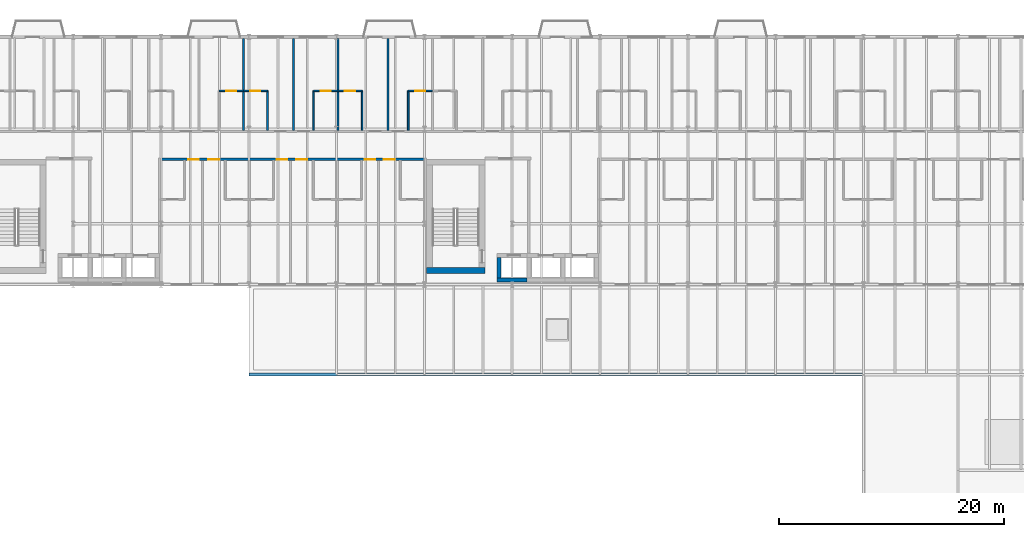
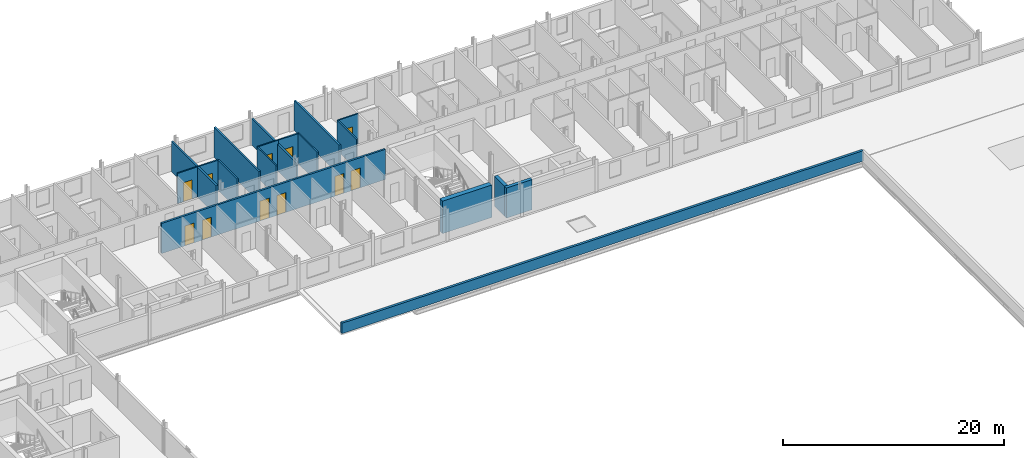
# One storey, part 24 of 36: 18 walls, 11 doors, 11 openings.
"""IFC4 building model written with IfcOpenShell, lengths in metres."""

from ifc_helpers import new_model, si_unit, direction, frame, frame_2d, origin, place, context, subcontext, project, spatial, rectangle, extrude, material, layer, layer_set, type_object, element, fill, save


model = new_model("IFC4")

# Units and contexts
model_context = context("Model", 3, precision=1e-05, world=origin(), true_north=direction((0.0, 1.0)))
body_context = subcontext(model_context, "Body", "Model", "MODEL_VIEW")
ifc_project = project(units=[si_unit("LENGTHUNIT", "METRE"), si_unit("AREAUNIT", "SQUARE_METRE"), si_unit("VOLUMEUNIT", "CUBIC_METRE"), si_unit("PLANEANGLEUNIT", "RADIAN"), si_unit("MASSUNIT", "GRAM", prefix="KILO")], contexts=[model_context])

# Site, building, storey
site_placement = place(None, origin())
site = spatial("IfcSite", under=ifc_project, at=site_placement, CompositionType="ELEMENT")
building_placement = place(site_placement, origin())
building = spatial("IfcBuilding", under=site, at=building_placement, Name="Sefraquen Railside Congress Hotel", CompositionType="ELEMENT")
storey_placement = place(building_placement, frame((0.0, 0.0, 24.60009765625)))
storey = spatial("IfcBuildingStorey", under=building, at=storey_placement, Name="L05", CompositionType="ELEMENT", Elevation=24.60009765625)

# Walls
ifc_material_1 = material(Name="Concrete C50/60", Category="concrete")
ifc_layer_1 = layer(ifc_material_1, 0.35009765625)
ifc_layer_set_1 = layer_set([ifc_layer_1], Name="Concrete C50/60")
wall_type_1 = type_object("IfcWallType", Name="TW-CW-350", PredefinedType="SHEAR", material=ifc_layer_set_1)
wall_1_placement = place(storey_placement, frame((70.639892578125, 96.405029296875, 0.0), z_axis=(0.0, 0.0, 1.0), x_axis=(1.0, 0.0, 0.0)))
element("IfcWall", 1, at=wall_1_placement, inside=storey, type_object=wall_type_1, Name="Lift FL-03 shaft wall S L05", PredefinedType="SHEAR", context=body_context, shape_type="SweptSolid", body=[
    extrude(rectangle(XDim=2.690185546875, YDim=0.35009765625, at=frame_2d((1.34521484375, 0.0))), origin(), (0.0, 0.0, 1.0), 3.33984375),
])
wall_2_placement = place(storey_placement, frame((70.81494140625, 96.580078125, 0.0), z_axis=(0.0, 0.0, 1.0), x_axis=(0.0, 1.0, 0.0)))
element("IfcWall", 2, at=wall_2_placement, inside=storey, type_object=wall_type_1, Name="Lift FL-03 shaft wall W L05", PredefinedType="SHEAR", context=body_context, shape_type="SweptSolid", body=[
    extrude(rectangle(XDim=1.83984375, YDim=0.35009765625, at=frame_2d((0.919921875, 0.0))), origin(), (0.0, 0.0, 1.0), 3.33984375),
])
ifc_layer_2 = layer(ifc_material_1, 0.5)
ifc_layer_set_2 = layer_set([ifc_layer_2], Name="Concrete C50/60")
wall_type_2 = type_object("IfcWallType", Name="TW-CW-500", PredefinedType="SHEAR", material=ifc_layer_set_2)
wall_3_placement = place(storey_placement, frame((64.39990234375, 97.25, 0.0), z_axis=(0.0, 0.0, 1.0), x_axis=(1.0, 0.0, 0.0)))
element("IfcWall", 3, at=wall_3_placement, inside=storey, type_object=wall_type_2, Name="Core shear wall ST-H03 S L05", PredefinedType="SHEAR", context=body_context, shape_type="SweptSolid", body=[
    extrude(rectangle(XDim=5.16015625, YDim=0.5, at=frame_2d((2.580078125, 0.0))), origin(), (0.0, 0.0, 1.0), 3.599853515625),
])
ifc_material_2 = material(Name="Precast concrete C40/50", Category="concrete")
ifc_layer_3 = layer(ifc_material_2, 0.25)
ifc_layer_set_3 = layer_set([ifc_layer_3], Name="Precast concrete C40/50")
wall_type_3 = type_object("IfcWallType", Name="TW-PA-250", PredefinedType="PARAPET", material=ifc_layer_set_3)
wall_4_placement = place(storey_placement, frame((48.60009765625, 88.0, 0.0), z_axis=(0.0, 0.0, 1.0), x_axis=(1.0, 0.0, 0.0)))
element("IfcWall", 4, at=wall_4_placement, inside=storey, type_object=wall_type_3, Name="Meeting Wing L05 roof parapet 01", PredefinedType="PARAPET", context=body_context, shape_type="SweptSolid", body=[
    extrude(rectangle(XDim=54.599853515625, YDim=0.25, at=frame_2d((27.2998046875, 0.0))), origin(), (0.0, 0.0, 1.0), 1.14990234375),
])

# Wall, opening, door
ifc_material_3 = material(Name="Moisture-resistant gypsum board", Category="gypsum")
ifc_layer_4 = layer(ifc_material_3, 0.139892578125)
ifc_layer_set_4 = layer_set([ifc_layer_4], Name="Moisture-resistant gypsum board")
wall_type_4 = type_object("IfcWallType", Name="TW-PW-140", PredefinedType="PARTITIONING", material=ifc_layer_set_4)
wall_5_placement = place(storey_placement, frame((45.9599609375, 113.199951171875, 0.0), z_axis=(0.0, 0.0, 1.0), x_axis=(1.0, 0.0, 0.0)))
wall_5 = element("IfcWall", 5, at=wall_5_placement, inside=storey, type_object=wall_type_4, Name="En-suite bathroom north wall RM-006", PredefinedType="PARTITIONING", context=body_context, shape_type="SweptSolid", body=[
    extrude(rectangle(XDim=2.150146484375, YDim=0.139892578125, at=frame_2d((1.0751953125, 0.0))), origin(), (0.0, 0.0, 1.0), 3.33984375),
])
opening_1_placement = place(wall_5_placement, frame((0.625, 0.0, 0.0)))
opening_1 = element("IfcOpeningElement", 6, at=opening_1_placement, cuts=wall_5, Name="Opening ID-02", PredefinedType="OPENING", context=body_context, shape_type="SweptSolid", body=[
    extrude(rectangle(XDim=0.89990234375, YDim=2.10009765625, at=frame_2d((0.449951171875, 1.050048828125))), frame((0.0, 0.079833984375, 0.0), z_axis=(0.0, -1.0, 0.0), x_axis=(1.0, 0.0, 0.0)), (0.0, 0.0, 1.0), 0.159912109375),
])
ifc_material_4 = material(Name="Lacquered cedar joinery", Category="wood")
door_type_1 = type_object("IfcDoorType", Name="TD-ID-02", OperationType="NOTDEFINED", PredefinedType="DOOR", material=ifc_material_4)
door_1_placement = place(opening_1_placement, origin())
door_1 = element("IfcDoor", 7, at=door_1_placement, inside=storey, type_object=door_type_1, Name="En-suite bathroom door RM-006", OperationType="SINGLE_SWING_LEFT", OverallHeight=2.10009765625, OverallWidth=0.89990234375, PredefinedType="DOOR", context=body_context, shape_type="SweptSolid", body=[
    extrude(rectangle(XDim=0.89990234375, YDim=2.10009765625, at=frame_2d((0.449951171875, 1.050048828125))), frame((0.0, 0.02490234375, 0.0), z_axis=(0.0, -1.0, 0.0), x_axis=(1.0, 0.0, 0.0)), (0.0, 0.0, 1.0), 0.050048828125),
])
fill(opening_1, door_1)

# Wall
wall_6_placement = place(storey_placement, frame((50.260009765625, 109.699951171875, 0.0), z_axis=(0.0, 0.0, 1.0), x_axis=(0.0, 1.0, 0.0)))
element("IfcWall", 8, at=wall_6_placement, inside=storey, type_object=wall_type_4, Name="En-suite bathroom east wall RM-007", PredefinedType="PARTITIONING", context=body_context, shape_type="SweptSolid", body=[
    extrude(rectangle(XDim=3.5, YDim=0.139892578125, at=frame_2d((1.75, 0.0))), origin(), (0.0, 0.0, 1.0), 3.33984375),
])

# Wall, opening, door
wall_7_placement = place(storey_placement, frame((48.110107421875, 113.199951171875, 0.0), z_axis=(0.0, 0.0, 1.0), x_axis=(1.0, 0.0, 0.0)))
wall_7 = element("IfcWall", 9, at=wall_7_placement, inside=storey, type_object=wall_type_4, Name="En-suite bathroom north wall RM-007", PredefinedType="PARTITIONING", context=body_context, shape_type="SweptSolid", body=[
    extrude(rectangle(XDim=2.14990234375, YDim=0.139892578125, at=frame_2d((1.074951171875, 0.0))), origin(), (0.0, 0.0, 1.0), 3.33984375),
])
opening_2_placement = place(wall_7_placement, frame((0.625, 0.0, 0.0)))
opening_2 = element("IfcOpeningElement", 10, at=opening_2_placement, cuts=wall_7, Name="Opening ID-02", PredefinedType="OPENING", context=body_context, shape_type="SweptSolid", body=[
    extrude(rectangle(XDim=0.89990234375, YDim=2.10009765625, at=frame_2d((0.449951171875, 1.050048828125))), frame((0.0, 0.079833984375, 0.0), z_axis=(0.0, -1.0, 0.0), x_axis=(1.0, 0.0, 0.0)), (0.0, 0.0, 1.0), 0.159912109375),
])
door_2_placement = place(opening_2_placement, origin())
door_2 = element("IfcDoor", 11, at=door_2_placement, inside=storey, type_object=door_type_1, Name="En-suite bathroom door RM-007", OperationType="SINGLE_SWING_LEFT", OverallHeight=2.10009765625, OverallWidth=0.89990234375, PredefinedType="DOOR", context=body_context, shape_type="SweptSolid", body=[
    extrude(rectangle(XDim=0.89990234375, YDim=2.10009765625, at=frame_2d((0.449951171875, 1.050048828125))), frame((0.0, 0.02490234375, 0.0), z_axis=(0.0, -1.0, 0.0), x_axis=(1.0, 0.0, 0.0)), (0.0, 0.0, 1.0), 0.050048828125),
])
fill(opening_2, door_2)

# Wall
wall_8_placement = place(storey_placement, frame((54.360107421875, 109.699951171875, 0.0), z_axis=(0.0, 0.0, 1.0), x_axis=(0.0, 1.0, 0.0)))
element("IfcWall", 12, at=wall_8_placement, inside=storey, type_object=wall_type_4, Name="En-suite bathroom west wall RM-008", PredefinedType="PARTITIONING", context=body_context, shape_type="SweptSolid", body=[
    extrude(rectangle(XDim=3.5, YDim=0.139892578125, at=frame_2d((1.75, 0.0))), origin(), (0.0, 0.0, 1.0), 3.33984375),
])

# Wall, opening, door
wall_9_placement = place(storey_placement, frame((54.360107421875, 113.199951171875, 0.0), z_axis=(0.0, 0.0, 1.0), x_axis=(1.0, 0.0, 0.0)))
wall_9 = element("IfcWall", 13, at=wall_9_placement, inside=storey, type_object=wall_type_4, Name="En-suite bathroom north wall RM-008", PredefinedType="PARTITIONING", context=body_context, shape_type="SweptSolid", body=[
    extrude(rectangle(XDim=2.14990234375, YDim=0.139892578125, at=frame_2d((1.074951171875, 0.0))), origin(), (0.0, 0.0, 1.0), 3.33984375),
])
opening_3_placement = place(wall_9_placement, frame((0.625, 0.0, 0.0)))
opening_3 = element("IfcOpeningElement", 14, at=opening_3_placement, cuts=wall_9, Name="Opening ID-02", PredefinedType="OPENING", context=body_context, shape_type="SweptSolid", body=[
    extrude(rectangle(XDim=0.89990234375, YDim=2.10009765625, at=frame_2d((0.449951171875, 1.050048828125))), frame((0.0, 0.079833984375, 0.0), z_axis=(0.0, -1.0, 0.0), x_axis=(1.0, 0.0, 0.0)), (0.0, 0.0, 1.0), 0.159912109375),
])
door_3_placement = place(opening_3_placement, origin())
door_3 = element("IfcDoor", 15, at=door_3_placement, inside=storey, type_object=door_type_1, Name="En-suite bathroom door RM-008", OperationType="SINGLE_SWING_LEFT", OverallHeight=2.10009765625, OverallWidth=0.89990234375, PredefinedType="DOOR", context=body_context, shape_type="SweptSolid", body=[
    extrude(rectangle(XDim=0.89990234375, YDim=2.10009765625, at=frame_2d((0.449951171875, 1.050048828125))), frame((0.0, 0.02490234375, 0.0), z_axis=(0.0, -1.0, 0.0), x_axis=(1.0, 0.0, 0.0)), (0.0, 0.0, 1.0), 0.050048828125),
])
fill(opening_3, door_3)

# Wall
wall_10_placement = place(storey_placement, frame((58.659912109375, 109.699951171875, 0.0), z_axis=(0.0, 0.0, 1.0), x_axis=(0.0, 1.0, 0.0)))
element("IfcWall", 16, at=wall_10_placement, inside=storey, type_object=wall_type_4, Name="En-suite bathroom east wall RM-009", PredefinedType="PARTITIONING", context=body_context, shape_type="SweptSolid", body=[
    extrude(rectangle(XDim=3.5, YDim=0.139892578125, at=frame_2d((1.75, 0.0))), origin(), (0.0, 0.0, 1.0), 3.33984375),
])

# Wall, opening, door
wall_11_placement = place(storey_placement, frame((56.510009765625, 113.199951171875, 0.0), z_axis=(0.0, 0.0, 1.0), x_axis=(1.0, 0.0, 0.0)))
wall_11 = element("IfcWall", 17, at=wall_11_placement, inside=storey, type_object=wall_type_4, Name="En-suite bathroom north wall RM-009", PredefinedType="PARTITIONING", context=body_context, shape_type="SweptSolid", body=[
    extrude(rectangle(XDim=2.14990234375, YDim=0.139892578125, at=frame_2d((1.074951171875, 0.0))), origin(), (0.0, 0.0, 1.0), 3.33984375),
])
opening_4_placement = place(wall_11_placement, frame((0.625, 0.0, 0.0)))
opening_4 = element("IfcOpeningElement", 18, at=opening_4_placement, cuts=wall_11, Name="Opening ID-02", PredefinedType="OPENING", context=body_context, shape_type="SweptSolid", body=[
    extrude(rectangle(XDim=0.89990234375, YDim=2.10009765625, at=frame_2d((0.449951171875, 1.050048828125))), frame((0.0, 0.079833984375, 0.0), z_axis=(0.0, -1.0, 0.0), x_axis=(1.0, 0.0, 0.0)), (0.0, 0.0, 1.0), 0.159912109375),
])
door_4_placement = place(opening_4_placement, origin())
door_4 = element("IfcDoor", 19, at=door_4_placement, inside=storey, type_object=door_type_1, Name="En-suite bathroom door RM-009", OperationType="SINGLE_SWING_LEFT", OverallHeight=2.10009765625, OverallWidth=0.89990234375, PredefinedType="DOOR", context=body_context, shape_type="SweptSolid", body=[
    extrude(rectangle(XDim=0.89990234375, YDim=2.10009765625, at=frame_2d((0.449951171875, 1.050048828125))), frame((0.0, 0.02490234375, 0.0), z_axis=(0.0, -1.0, 0.0), x_axis=(1.0, 0.0, 0.0)), (0.0, 0.0, 1.0), 0.050048828125),
])
fill(opening_4, door_4)

# Wall
wall_12_placement = place(storey_placement, frame((62.760009765625, 109.699951171875, 0.0), z_axis=(0.0, 0.0, 1.0), x_axis=(0.0, 1.0, 0.0)))
element("IfcWall", 20, at=wall_12_placement, inside=storey, type_object=wall_type_4, Name="En-suite bathroom west wall RM-010", PredefinedType="PARTITIONING", context=body_context, shape_type="SweptSolid", body=[
    extrude(rectangle(XDim=3.5, YDim=0.139892578125, at=frame_2d((1.75, 0.0))), origin(), (0.0, 0.0, 1.0), 3.33984375),
])

# Wall, opening, door
wall_13_placement = place(storey_placement, frame((62.760009765625, 113.199951171875, 0.0), z_axis=(0.0, 0.0, 1.0), x_axis=(1.0, 0.0, 0.0)))
wall_13 = element("IfcWall", 21, at=wall_13_placement, inside=storey, type_object=wall_type_4, Name="En-suite bathroom north wall RM-010", PredefinedType="PARTITIONING", context=body_context, shape_type="SweptSolid", body=[
    extrude(rectangle(XDim=2.14990234375, YDim=0.139892578125, at=frame_2d((1.074951171875, 0.0))), origin(), (0.0, 0.0, 1.0), 3.33984375),
])
opening_5_placement = place(wall_13_placement, frame((0.625, 0.0, 0.0)))
opening_5 = element("IfcOpeningElement", 22, at=opening_5_placement, cuts=wall_13, Name="Opening ID-02", PredefinedType="OPENING", context=body_context, shape_type="SweptSolid", body=[
    extrude(rectangle(XDim=0.89990234375, YDim=2.10009765625, at=frame_2d((0.449951171875, 1.050048828125))), frame((0.0, 0.079833984375, 0.0), z_axis=(0.0, -1.0, 0.0), x_axis=(1.0, 0.0, 0.0)), (0.0, 0.0, 1.0), 0.159912109375),
])
door_5_placement = place(opening_5_placement, origin())
door_5 = element("IfcDoor", 23, at=door_5_placement, inside=storey, type_object=door_type_1, Name="En-suite bathroom door RM-010", OperationType="SINGLE_SWING_LEFT", OverallHeight=2.10009765625, OverallWidth=0.89990234375, PredefinedType="DOOR", context=body_context, shape_type="SweptSolid", body=[
    extrude(rectangle(XDim=0.89990234375, YDim=2.10009765625, at=frame_2d((0.449951171875, 1.050048828125))), frame((0.0, 0.02490234375, 0.0), z_axis=(0.0, -1.0, 0.0), x_axis=(1.0, 0.0, 0.0)), (0.0, 0.0, 1.0), 0.050048828125),
])
fill(opening_5, door_5)

# Walls
ifc_material_5 = material(Name="Acoustic gypsum board on metal stud", Category="gypsum")
ifc_layer_5 = layer(ifc_material_5, 0.179931640625)
ifc_layer_set_5 = layer_set([ifc_layer_5], Name="Acoustic gypsum board on metal stud")
wall_type_5 = type_object("IfcWallType", Name="TW-PW-180", PredefinedType="PARTITIONING", material=ifc_layer_set_5)
for number, where, z_axis, x_axis, name in (
    (24, (48.110107421875, 109.699951171875, 0.0), (0.0, 0.0, 1.0), (0.0, 1.0, 0.0), "Guest room demising wall RM-006"),
    (25, (52.580078125, 109.699951171875, 0.0), (0.0, 0.0, 1.0), (0.0, 1.0, 0.0), "Guest room demising wall RM-007"),
):
    element("IfcWall", number, at=place(storey_placement, frame(where, z_axis=z_axis, x_axis=x_axis)), inside=storey, type_object=wall_type_5, Name=name, PredefinedType="PARTITIONING", context=body_context, shape_type="SweptSolid", body=[
        extrude(rectangle(XDim=8.150146484375, YDim=0.179931640625, at=frame_2d((4.0751953125, 0.0))), origin(), (0.0, 0.0, 1.0), 3.33984375),
    ])
wall_14_placement = place(storey_placement, frame((56.510009765625, 109.699951171875, 0.0), z_axis=(0.0, 0.0, 1.0), x_axis=(0.0, 1.0, 0.0)))
element("IfcWall", 26, at=wall_14_placement, inside=storey, type_object=wall_type_5, Name="Guest room demising wall RM-008", PredefinedType="PARTITIONING", context=body_context, shape_type="SweptSolid", body=[
    extrude(rectangle(XDim=8.150146484375, YDim=0.179931640625, at=frame_2d((4.0751953125, 0.0))), origin(), (0.0, 0.0, 1.0), 2.929931640625),
])
wall_15_placement = place(storey_placement, frame((60.97998046875, 109.699951171875, 0.0), z_axis=(0.0, 0.0, 1.0), x_axis=(0.0, 1.0, 0.0)))
element("IfcWall", 27, at=wall_15_placement, inside=storey, type_object=wall_type_5, Name="Guest room demising wall RM-009", PredefinedType="PARTITIONING", context=body_context, shape_type="SweptSolid", body=[
    extrude(rectangle(XDim=8.150146484375, YDim=0.179931640625, at=frame_2d((4.0751953125, 0.0))), origin(), (0.0, 0.0, 1.0), 3.33984375),
])

# Wall, openings, doors
ifc_layer_6 = layer(ifc_material_5, 0.199951171875)
ifc_layer_set_6 = layer_set([ifc_layer_6], Name="Acoustic gypsum board on metal stud")
wall_type_6 = type_object("IfcWallType", Name="TW-PW-200", PredefinedType="PARTITIONING", material=ifc_layer_set_6)
wall_16_placement = place(storey_placement, frame((40.760009765625, 107.1201171875, 0.0), z_axis=(0.0, 0.0, 1.0), x_axis=(1.0, 0.0, 0.0)))
wall_16 = element("IfcWall", 28, at=wall_16_placement, inside=storey, type_object=wall_type_6, Name="Hotel L05 south-mid corridor fire-rated partition", PredefinedType="PARTITIONING", context=body_context, shape_type="SweptSolid", body=[
    extrude(rectangle(XDim=23.43994140625, YDim=0.199951171875, at=frame_2d((11.719970703125, 0.0))), origin(), (0.0, 0.0, 1.0), 3.33984375),
])
opening_6_placement = place(wall_16_placement, frame((2.448974609375, 0.0, 0.0)))
opening_6 = element("IfcOpeningElement", 29, at=opening_6_placement, cuts=wall_16, Name="Opening GD-02", PredefinedType="OPENING", context=body_context, shape_type="SweptSolid", body=[
    extrude(rectangle(XDim=0.9599609375, YDim=2.199951171875, at=frame_2d((0.47998046875, 1.10009765625))), frame((0.0, 0.10986328125, 0.0), z_axis=(0.0, -1.0, 0.0), x_axis=(1.0, 0.0, 0.0)), (0.0, 0.0, 1.0), 0.219970703125),
])
opening_7_placement = place(wall_16_placement, frame((4.2529296875, 0.0, 0.0)))
opening_7 = element("IfcOpeningElement", 30, at=opening_7_placement, cuts=wall_16, Name="Opening GD-02", PredefinedType="OPENING", context=body_context, shape_type="SweptSolid", body=[
    extrude(rectangle(XDim=0.9599609375, YDim=2.199951171875, at=frame_2d((0.47998046875, 1.10009765625))), frame((0.0, 0.10986328125, 0.0), z_axis=(0.0, -1.0, 0.0), x_axis=(1.0, 0.0, 0.0)), (0.0, 0.0, 1.0), 0.219970703125),
])
opening_8_placement = place(wall_16_placement, frame((10.31103515625, 0.0, 0.0)))
opening_8 = element("IfcOpeningElement", 31, at=opening_8_placement, cuts=wall_16, Name="Opening GD-02", PredefinedType="OPENING", context=body_context, shape_type="SweptSolid", body=[
    extrude(rectangle(XDim=0.9599609375, YDim=2.199951171875, at=frame_2d((0.47998046875, 1.10009765625))), frame((0.0, 0.10986328125, 0.0), z_axis=(0.0, -1.0, 0.0), x_axis=(1.0, 0.0, 0.0)), (0.0, 0.0, 1.0), 0.219970703125),
])
opening_9_placement = place(wall_16_placement, frame((12.069091796875, 0.0, 0.0)))
opening_9 = element("IfcOpeningElement", 32, at=opening_9_placement, cuts=wall_16, Name="Opening GD-02", PredefinedType="OPENING", context=body_context, shape_type="SweptSolid", body=[
    extrude(rectangle(XDim=0.9599609375, YDim=2.199951171875, at=frame_2d((0.47998046875, 1.10009765625))), frame((0.0, 0.10986328125, 0.0), z_axis=(0.0, -1.0, 0.0), x_axis=(1.0, 0.0, 0.0)), (0.0, 0.0, 1.0), 0.219970703125),
])
opening_10_placement = place(wall_16_placement, frame((18.1279296875, 0.0, 0.0)))
opening_10 = element("IfcOpeningElement", 33, at=opening_10_placement, cuts=wall_16, Name="Opening GD-02", PredefinedType="OPENING", context=body_context, shape_type="SweptSolid", body=[
    extrude(rectangle(XDim=0.9599609375, YDim=2.199951171875, at=frame_2d((0.47998046875, 1.10009765625))), frame((0.0, 0.10986328125, 0.0), z_axis=(0.0, -1.0, 0.0), x_axis=(1.0, 0.0, 0.0)), (0.0, 0.0, 1.0), 0.219970703125),
])
opening_11_placement = place(wall_16_placement, frame((19.841064453125, 0.0, 0.0)))
opening_11 = element("IfcOpeningElement", 34, at=opening_11_placement, cuts=wall_16, Name="Opening GD-02", PredefinedType="OPENING", context=body_context, shape_type="SweptSolid", body=[
    extrude(rectangle(XDim=0.9599609375, YDim=2.199951171875, at=frame_2d((0.47998046875, 1.10009765625))), frame((0.0, 0.10986328125, 0.0), z_axis=(0.0, -1.0, 0.0), x_axis=(1.0, 0.0, 0.0)), (0.0, 0.0, 1.0), 0.219970703125),
])
ifc_material_6 = material(Name="Solid Atlas cedar timber fire leaf", Category="wood")
door_type_2 = type_object("IfcDoorType", Name="TD-GD-02", OperationType="NOTDEFINED", PredefinedType="DOOR", material=ifc_material_6)
door_6_placement = place(opening_6_placement, frame((0.9599609375, 0.0, 0.0), z_axis=(0.0, 0.0, 1.0), x_axis=(-1.0, 0.0, 0.0)))
door_6 = element("IfcDoor", 35, at=door_6_placement, inside=storey, type_object=door_type_2, Name="Guest room entrance fire door RM-024", OperationType="SINGLE_SWING_RIGHT", OverallHeight=2.199951171875, OverallWidth=0.9599609375, PredefinedType="DOOR", context=body_context, shape_type="SweptSolid", body=[
    extrude(rectangle(XDim=0.9599609375, YDim=2.199951171875, at=frame_2d((0.47998046875, 1.10009765625))), frame((0.0, 0.02490234375, 0.0), z_axis=(0.0, -1.0, 0.0), x_axis=(1.0, 0.0, 0.0)), (0.0, 0.0, 1.0), 0.050048828125),
])
fill(opening_6, door_6)
door_7_placement = place(opening_7_placement, frame((0.9599609375, 0.0, 0.0), z_axis=(0.0, 0.0, 1.0), x_axis=(-1.0, 0.0, 0.0)))
door_7 = element("IfcDoor", 36, at=door_7_placement, inside=storey, type_object=door_type_2, Name="Guest room entrance fire door RM-025", OperationType="SINGLE_SWING_RIGHT", OverallHeight=2.199951171875, OverallWidth=0.9599609375, PredefinedType="DOOR", context=body_context, shape_type="SweptSolid", body=[
    extrude(rectangle(XDim=0.9599609375, YDim=2.199951171875, at=frame_2d((0.47998046875, 1.10009765625))), frame((0.0, 0.02490234375, 0.0), z_axis=(0.0, -1.0, 0.0), x_axis=(1.0, 0.0, 0.0)), (0.0, 0.0, 1.0), 0.050048828125),
])
fill(opening_7, door_7)
door_8_placement = place(opening_8_placement, frame((0.9599609375, 0.0, 0.0), z_axis=(0.0, 0.0, 1.0), x_axis=(-1.0, 0.0, 0.0)))
door_8 = element("IfcDoor", 37, at=door_8_placement, inside=storey, type_object=door_type_2, Name="Guest room entrance fire door RM-026", OperationType="SINGLE_SWING_RIGHT", OverallHeight=2.199951171875, OverallWidth=0.9599609375, PredefinedType="DOOR", context=body_context, shape_type="SweptSolid", body=[
    extrude(rectangle(XDim=0.9599609375, YDim=2.199951171875, at=frame_2d((0.47998046875, 1.10009765625))), frame((0.0, 0.02490234375, 0.0), z_axis=(0.0, -1.0, 0.0), x_axis=(1.0, 0.0, 0.0)), (0.0, 0.0, 1.0), 0.050048828125),
])
fill(opening_8, door_8)
door_9_placement = place(opening_9_placement, frame((0.9599609375, 0.0, 0.0), z_axis=(0.0, 0.0, 1.0), x_axis=(-1.0, 0.0, 0.0)))
door_9 = element("IfcDoor", 38, at=door_9_placement, inside=storey, type_object=door_type_2, Name="Guest room entrance fire door RM-027", OperationType="SINGLE_SWING_RIGHT", OverallHeight=2.199951171875, OverallWidth=0.9599609375, PredefinedType="DOOR", context=body_context, shape_type="SweptSolid", body=[
    extrude(rectangle(XDim=0.9599609375, YDim=2.199951171875, at=frame_2d((0.47998046875, 1.10009765625))), frame((0.0, 0.02490234375, 0.0), z_axis=(0.0, -1.0, 0.0), x_axis=(1.0, 0.0, 0.0)), (0.0, 0.0, 1.0), 0.050048828125),
])
fill(opening_9, door_9)
door_10_placement = place(opening_10_placement, frame((0.9599609375, 0.0, 0.0), z_axis=(0.0, 0.0, 1.0), x_axis=(-1.0, 0.0, 0.0)))
door_10 = element("IfcDoor", 39, at=door_10_placement, inside=storey, type_object=door_type_2, Name="Guest room entrance fire door RM-028", OperationType="SINGLE_SWING_RIGHT", OverallHeight=2.199951171875, OverallWidth=0.9599609375, PredefinedType="DOOR", context=body_context, shape_type="SweptSolid", body=[
    extrude(rectangle(XDim=0.9599609375, YDim=2.199951171875, at=frame_2d((0.47998046875, 1.10009765625))), frame((0.0, 0.02490234375, 0.0), z_axis=(0.0, -1.0, 0.0), x_axis=(1.0, 0.0, 0.0)), (0.0, 0.0, 1.0), 0.050048828125),
])
fill(opening_10, door_10)
door_11_placement = place(opening_11_placement, frame((0.9599609375, 0.0, 0.0), z_axis=(0.0, 0.0, 1.0), x_axis=(-1.0, 0.0, 0.0)))
door_11 = element("IfcDoor", 40, at=door_11_placement, inside=storey, type_object=door_type_2, Name="Guest room entrance fire door RM-029", OperationType="SINGLE_SWING_RIGHT", OverallHeight=2.199951171875, OverallWidth=0.9599609375, PredefinedType="DOOR", context=body_context, shape_type="SweptSolid", body=[
    extrude(rectangle(XDim=0.9599609375, YDim=2.199951171875, at=frame_2d((0.47998046875, 1.10009765625))), frame((0.0, 0.02490234375, 0.0), z_axis=(0.0, -1.0, 0.0), x_axis=(1.0, 0.0, 0.0)), (0.0, 0.0, 1.0), 0.050048828125),
])
fill(opening_11, door_11)

save(model, "model.ifc")
